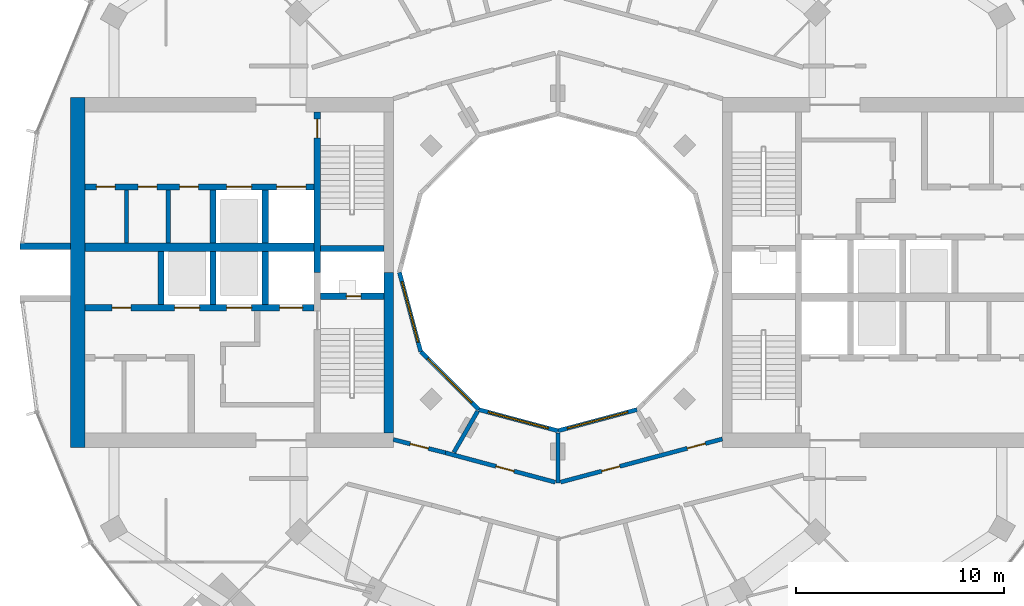
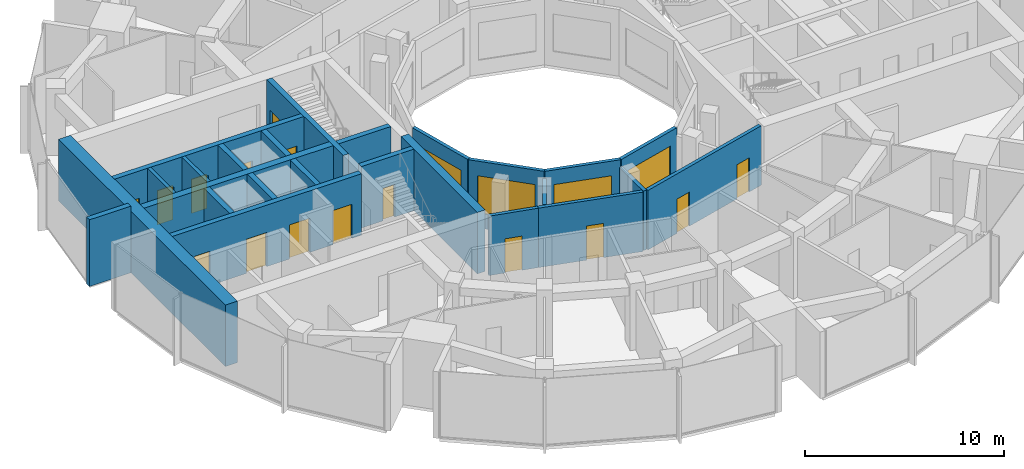
# One storey, part 9 of 15: 25 walls, 15 doors, 4 windows, 19 openings.
"""IFC4 building model written with IfcOpenShell, lengths in metres."""

from ifc_helpers import new_model, si_unit, direction, frame, frame_2d, origin, place, context, subcontext, project, spatial, rectangle, extrude, material, layer, layer_set, type_object, element, fill, save


model = new_model("IFC4")

# Units and contexts
model_context = context("Model", 3, precision=1e-05, world=origin(), true_north=direction((0.0, 1.0)))
body_context = subcontext(model_context, "Body", "Model", "MODEL_VIEW")
ifc_project = project(units=[si_unit("LENGTHUNIT", "METRE"), si_unit("AREAUNIT", "SQUARE_METRE"), si_unit("VOLUMEUNIT", "CUBIC_METRE"), si_unit("PLANEANGLEUNIT", "RADIAN"), si_unit("MASSUNIT", "GRAM", prefix="KILO")], contexts=[model_context])

# Site, building, storey
site_placement = place(None, origin())
site = spatial("IfcSite", under=ifc_project, at=site_placement, CompositionType="ELEMENT")
building_placement = place(site_placement, origin())
building = spatial("IfcBuilding", under=site, at=building_placement, Name="Torre Brocal", CompositionType="ELEMENT")
storey_placement = place(building_placement, frame((0.0, 0.0, 182.300048828125)))
storey = spatial("IfcBuildingStorey", under=building, at=storey_placement, Name="L42", CompositionType="ELEMENT", Elevation=182.300048828125)

# Walls
ifc_material_1 = material(Name="Masonry block", Category="masonry")
ifc_layer_1 = layer(ifc_material_1, 0.199951171875)
ifc_layer_set_1 = layer_set([ifc_layer_1], Name="Masonry block")
wall_type_1 = type_object("IfcWallType", Name="CORE PARTITION 200", PredefinedType="PARTITIONING", material=ifc_layer_set_1)
for number, where, z_axis, x_axis, name in (
    (1, (61.300048828125, 78.949951171875, 0.0), (0.0, 0.0, 1.0), (0.0, -1.0, 0.0), "Wall CP200"),
    (2, (59.300048828125, 78.949951171875, 0.0), (0.0, 0.0, 1.0), (0.0, -1.0, 0.0), "Wall CP200"),
):
    element("IfcWall", number, at=place(storey_placement, frame(where, z_axis=z_axis, x_axis=x_axis)), inside=storey, type_object=wall_type_1, Name=name, PredefinedType="PARTITIONING", context=body_context, shape_type="SweptSolid", body=[
        extrude(rectangle(XDim=2.550048828125, YDim=0.199951171875, at=frame_2d((1.27490234375, 0.0))), origin(), (0.0, 0.0, 1.0), 3.780029296875),
    ])

# Wall, opening, door
ifc_material_2 = material(Name="Concrete C70", Category="concrete")
ifc_layer_2 = layer(ifc_material_2, 0.300048828125)
ifc_layer_set_2 = layer_set([ifc_layer_2], Name="Concrete C70")
wall_type_2 = type_object("IfcWallType", Name="CORE WALL 300 C70", PredefinedType="SHEAR", material=ifc_layer_set_2)
wall_1_placement = place(storey_placement, frame((68.449951171875, 82.699951171875, 0.0), z_axis=(0.0, 0.0, 1.0), x_axis=(0.0, -1.0, 0.0)))
wall_1 = element("IfcWall", 3, at=wall_1_placement, inside=storey, type_object=wall_type_2, Name="Wall CW300-70", PredefinedType="SHEAR", context=body_context, shape_type="SweptSolid", body=[
    extrude(rectangle(XDim=7.699951171875, YDim=0.300048828125, at=frame_2d((3.85009765625, 0.0))), origin(), (0.0, 0.0, 1.0), 3.780029296875),
])
opening_1_placement = place(wall_1_placement, frame((0.35009765625, 0.0, 0.0)))
opening_1 = element("IfcOpeningElement", 4, at=opening_1_placement, cuts=wall_1, Name="Opening W-D03", PredefinedType="OPENING", context=body_context, shape_type="SweptSolid", body=[
    extrude(rectangle(XDim=0.89990234375, YDim=2.10009765625, at=frame_2d((0.449951171875, 1.050048828125))), frame((0.0, 0.159912109375, 0.0), z_axis=(0.0, -1.0, 0.0), x_axis=(1.0, 0.0, 0.0)), (0.0, 0.0, 1.0), 0.320068359375),
])
ifc_material_3 = material(Name="Steel A653", Category="steel")
door_type_1 = type_object("IfcDoorType", Name="STAIR DOOR FD120 900X2100", OperationType="SINGLE_SWING_RIGHT", PredefinedType="DOOR", material=ifc_material_3)
door_1_placement = place(opening_1_placement, origin())
door_1 = element("IfcDoor", 5, at=door_1_placement, inside=storey, type_object=door_type_1, Name="Door W-D03", OperationType="SINGLE_SWING_LEFT", OverallHeight=2.10009765625, OverallWidth=0.89990234375, PredefinedType="DOOR", context=body_context, shape_type="SweptSolid", body=[
    extrude(rectangle(XDim=0.89990234375, YDim=2.10009765625, at=frame_2d((0.449951171875, 1.050048828125))), frame((0.0, 0.02490234375, 0.0), z_axis=(0.0, -1.0, 0.0), x_axis=(1.0, 0.0, 0.0)), (0.0, 0.0, 1.0), 0.050048828125),
])
fill(opening_1, door_1)

wall_2_placement = place(storey_placement, frame((71.64990234375, 73.85009765625, 0.0), z_axis=(0.0, 0.0, 1.0), x_axis=(-1.0, 0.0, 0.0)))
wall_2 = element("IfcWall", 6, at=wall_2_placement, inside=storey, type_object=wall_type_2, Name="Wall CW300-70", PredefinedType="SHEAR", context=body_context, shape_type="SweptSolid", body=[
    extrude(rectangle(XDim=3.0498046875, YDim=0.300048828125, at=frame_2d((1.52490234375, 0.0))), origin(), (0.0, 0.0, 1.0), 3.780029296875),
])
opening_2_placement = place(wall_2_placement, frame((1.10009765625, 0.0, 0.0)))
opening_2 = element("IfcOpeningElement", 7, at=opening_2_placement, cuts=wall_2, Name="Opening W-D01", PredefinedType="OPENING", context=body_context, shape_type="SweptSolid", body=[
    extrude(rectangle(XDim=0.699951171875, YDim=2.0, at=frame_2d((0.35009765625, 1.0))), frame((0.0, 0.159912109375, 0.0), z_axis=(0.0, -1.0, 0.0), x_axis=(1.0, 0.0, 0.0)), (0.0, 0.0, 1.0), 0.320068359375),
])
ifc_material_4 = material(Name="Steel A653", Category="steel")
door_type_2 = type_object("IfcDoorType", Name="RISER DOOR FD120 700X2000", OperationType="SINGLE_SWING_LEFT", PredefinedType="DOOR", material=ifc_material_4)
door_2_placement = place(opening_2_placement, frame((0.699951171875, 0.0, 0.0), z_axis=(0.0, 0.0, 1.0), x_axis=(-1.0, 0.0, 0.0)))
door_2 = element("IfcDoor", 8, at=door_2_placement, inside=storey, type_object=door_type_2, Name="Door W-D01", OperationType="SINGLE_SWING_RIGHT", OverallHeight=2.0, OverallWidth=0.699951171875, PredefinedType="DOOR", context=body_context, shape_type="SweptSolid", body=[
    extrude(rectangle(XDim=0.699951171875, YDim=2.0, at=frame_2d((0.35009765625, 1.0))), frame((0.0, 0.02490234375, 0.0), z_axis=(0.0, -1.0, 0.0), x_axis=(1.0, 0.0, 0.0)), (0.0, 0.0, 1.0), 0.050048828125),
])
fill(opening_2, door_2)

# Wall
wall_3_placement = place(storey_placement, frame((71.64990234375, 76.14990234375, 0.0), z_axis=(0.0, 0.0, 1.0), x_axis=(-1.0, 0.0, 0.0)))
element("IfcWall", 9, at=wall_3_placement, inside=storey, type_object=wall_type_2, Name="Wall CW300-70", PredefinedType="SHEAR", context=body_context, shape_type="SweptSolid", body=[
    extrude(rectangle(XDim=3.0498046875, YDim=0.300048828125, at=frame_2d((1.52490234375, 0.0))), origin(), (0.0, 0.0, 1.0), 3.780029296875),
])

# Wall, openings, doors
wall_4_placement = place(storey_placement, frame((68.300048828125, 73.300048828125, 0.0), z_axis=(0.0, 0.0, 1.0), x_axis=(-1.0, 0.0, 0.0)))
wall_4 = element("IfcWall", 10, at=wall_4_placement, inside=storey, type_object=wall_type_2, Name="Wall CW300-70", PredefinedType="SHEAR", context=body_context, shape_type="SweptSolid", body=[
    extrude(rectangle(XDim=11.0, YDim=0.300048828125, at=frame_2d((5.5, 0.0))), origin(), (0.0, 0.0, 1.0), 3.780029296875),
])
opening_3_placement = place(wall_4_placement, frame((0.550048828125, 0.0, 0.0)))
opening_3 = element("IfcOpeningElement", 11, at=opening_3_placement, cuts=wall_4, Name="Opening LD", PredefinedType="OPENING", context=body_context, shape_type="SweptSolid", body=[
    extrude(rectangle(XDim=1.10009765625, YDim=2.10009765625, at=frame_2d((0.550048828125, 1.050048828125))), frame((0.0, 0.159912109375, 0.0), z_axis=(0.0, -1.0, 0.0), x_axis=(1.0, 0.0, 0.0)), (0.0, 0.0, 1.0), 0.320068359375),
])
opening_4_placement = place(wall_4_placement, frame((3.0, 0.0, 0.0)))
opening_4 = element("IfcOpeningElement", 12, at=opening_4_placement, cuts=wall_4, Name="Opening LD12", PredefinedType="OPENING", context=body_context, shape_type="SweptSolid", body=[
    extrude(rectangle(XDim=1.199951171875, YDim=2.10009765625, at=frame_2d((0.60009765625, 1.050048828125))), frame((0.0, 0.159912109375, 0.0), z_axis=(0.0, -1.0, 0.0), x_axis=(1.0, 0.0, 0.0)), (0.0, 0.0, 1.0), 0.320068359375),
])
opening_5_placement = place(wall_4_placement, frame((5.5, 0.0, 0.0)))
opening_5 = element("IfcOpeningElement", 13, at=opening_5_placement, cuts=wall_4, Name="Opening LD12", PredefinedType="OPENING", context=body_context, shape_type="SweptSolid", body=[
    extrude(rectangle(XDim=1.199951171875, YDim=2.10009765625, at=frame_2d((0.60009765625, 1.050048828125))), frame((0.0, 0.159912109375, 0.0), z_axis=(0.0, -1.0, 0.0), x_axis=(1.0, 0.0, 0.0)), (0.0, 0.0, 1.0), 0.320068359375),
])
opening_6_placement = place(wall_4_placement, frame((8.800048828125, 0.0, 0.0)))
opening_6 = element("IfcOpeningElement", 14, at=opening_6_placement, cuts=wall_4, Name="Opening W-D04", PredefinedType="OPENING", context=body_context, shape_type="SweptSolid", body=[
    extrude(rectangle(XDim=0.89990234375, YDim=2.10009765625, at=frame_2d((0.449951171875, 1.050048828125))), frame((0.0, 0.159912109375, 0.0), z_axis=(0.0, -1.0, 0.0), x_axis=(1.0, 0.0, 0.0)), (0.0, 0.0, 1.0), 0.320068359375),
])
ifc_material_5 = material(Name="Stainless steel AISI 316", Category="steel")
door_type_3 = type_object("IfcDoorType", Name="LIFT LANDING DOOR 1100X2100", OperationType="DOUBLE_DOOR_SLIDING", PredefinedType="DOOR", material=ifc_material_5)
door_3_placement = place(opening_3_placement, origin())
door_3 = element("IfcDoor", 15, at=door_3_placement, inside=storey, type_object=door_type_3, Name="Door LD", OperationType="DOUBLE_DOOR_SLIDING", OverallHeight=2.10009765625, OverallWidth=1.10009765625, PredefinedType="DOOR", context=body_context, shape_type="SweptSolid", body=[
    extrude(rectangle(XDim=1.10009765625, YDim=2.10009765625, at=frame_2d((0.550048828125, 1.050048828125))), frame((0.0, 0.02490234375, 0.0), z_axis=(0.0, -1.0, 0.0), x_axis=(1.0, 0.0, 0.0)), (0.0, 0.0, 1.0), 0.050048828125),
])
fill(opening_3, door_3)
ifc_material_6 = material(Name="Stainless steel AISI 316", Category="steel")
door_type_4 = type_object("IfcDoorType", Name="LIFT LANDING DOOR 1200X2100", OperationType="DOUBLE_DOOR_SLIDING", PredefinedType="DOOR", material=ifc_material_6)
door_4_placement = place(opening_4_placement, origin())
door_4 = element("IfcDoor", 16, at=door_4_placement, inside=storey, type_object=door_type_4, Name="Door LD12", OperationType="DOUBLE_DOOR_SLIDING", OverallHeight=2.10009765625, OverallWidth=1.199951171875, PredefinedType="DOOR", context=body_context, shape_type="SweptSolid", body=[
    extrude(rectangle(XDim=1.199951171875, YDim=2.10009765625, at=frame_2d((0.60009765625, 1.050048828125))), frame((0.0, 0.02490234375, 0.0), z_axis=(0.0, -1.0, 0.0), x_axis=(1.0, 0.0, 0.0)), (0.0, 0.0, 1.0), 0.050048828125),
])
fill(opening_4, door_4)
door_5_placement = place(opening_5_placement, origin())
door_5 = element("IfcDoor", 17, at=door_5_placement, inside=storey, type_object=door_type_4, Name="Door LD12", OperationType="DOUBLE_DOOR_SLIDING", OverallHeight=2.10009765625, OverallWidth=1.199951171875, PredefinedType="DOOR", context=body_context, shape_type="SweptSolid", body=[
    extrude(rectangle(XDim=1.199951171875, YDim=2.10009765625, at=frame_2d((0.60009765625, 1.050048828125))), frame((0.0, 0.02490234375, 0.0), z_axis=(0.0, -1.0, 0.0), x_axis=(1.0, 0.0, 0.0)), (0.0, 0.0, 1.0), 0.050048828125),
])
fill(opening_5, door_5)
ifc_material_7 = material(Name="Steel A653", Category="steel")
door_type_5 = type_object("IfcDoorType", Name="ROOM DOOR FD30S 900X2100", OperationType="SINGLE_SWING_LEFT", PredefinedType="DOOR", material=ifc_material_7)
door_6_placement = place(opening_6_placement, frame((0.89990234375, 0.0, 0.0), z_axis=(0.0, 0.0, 1.0), x_axis=(-1.0, 0.0, 0.0)))
door_6 = element("IfcDoor", 18, at=door_6_placement, inside=storey, type_object=door_type_5, Name="Door W-D04", OperationType="SINGLE_SWING_LEFT", OverallHeight=2.10009765625, OverallWidth=0.89990234375, PredefinedType="DOOR", context=body_context, shape_type="SweptSolid", body=[
    extrude(rectangle(XDim=0.89990234375, YDim=2.10009765625, at=frame_2d((0.449951171875, 1.050048828125))), frame((0.0, 0.02490234375, 0.0), z_axis=(0.0, -1.0, 0.0), x_axis=(1.0, 0.0, 0.0)), (0.0, 0.0, 1.0), 0.050048828125),
])
fill(opening_6, door_6)

wall_5_placement = place(storey_placement, frame((68.300048828125, 79.10009765625, 0.0), z_axis=(0.0, 0.0, 1.0), x_axis=(-1.0, 0.0, 0.0)))
wall_5 = element("IfcWall", 19, at=wall_5_placement, inside=storey, type_object=wall_type_2, Name="Wall CW300-70", PredefinedType="SHEAR", context=body_context, shape_type="SweptSolid", body=[
    extrude(rectangle(XDim=11.0, YDim=0.300048828125, at=frame_2d((5.5, 0.0))), origin(), (0.0, 0.0, 1.0), 3.780029296875),
])
opening_7_placement = place(wall_5_placement, frame((0.39990234375, 0.0, 0.0)))
opening_7 = element("IfcOpeningElement", 20, at=opening_7_placement, cuts=wall_5, Name="Opening LD14", PredefinedType="OPENING", context=body_context, shape_type="SweptSolid", body=[
    extrude(rectangle(XDim=1.39990234375, YDim=2.10009765625, at=frame_2d((0.699951171875, 1.050048828125))), frame((0.0, 0.159912109375, 0.0), z_axis=(0.0, -1.0, 0.0), x_axis=(1.0, 0.0, 0.0)), (0.0, 0.0, 1.0), 0.320068359375),
])
opening_8_placement = place(wall_5_placement, frame((3.0, 0.0, 0.0)))
opening_8 = element("IfcOpeningElement", 21, at=opening_8_placement, cuts=wall_5, Name="Opening LD12", PredefinedType="OPENING", context=body_context, shape_type="SweptSolid", body=[
    extrude(rectangle(XDim=1.199951171875, YDim=2.10009765625, at=frame_2d((0.60009765625, 1.050048828125))), frame((0.0, 0.159912109375, 0.0), z_axis=(0.0, -1.0, 0.0), x_axis=(1.0, 0.0, 0.0)), (0.0, 0.0, 1.0), 0.320068359375),
])
opening_9_placement = place(wall_5_placement, frame((5.550048828125, 0.0, 0.0)))
opening_9 = element("IfcOpeningElement", 22, at=opening_9_placement, cuts=wall_5, Name="Opening W-D05", PredefinedType="OPENING", context=body_context, shape_type="SweptSolid", body=[
    extrude(rectangle(XDim=0.89990234375, YDim=2.10009765625, at=frame_2d((0.449951171875, 1.050048828125))), frame((0.0, 0.159912109375, 0.0), z_axis=(0.0, -1.0, 0.0), x_axis=(1.0, 0.0, 0.0)), (0.0, 0.0, 1.0), 0.320068359375),
])
opening_10_placement = place(wall_5_placement, frame((7.550048828125, 0.0, 0.0)))
opening_10 = element("IfcOpeningElement", 23, at=opening_10_placement, cuts=wall_5, Name="Opening W-D06", PredefinedType="OPENING", context=body_context, shape_type="SweptSolid", body=[
    extrude(rectangle(XDim=0.89990234375, YDim=2.10009765625, at=frame_2d((0.449951171875, 1.050048828125))), frame((0.0, 0.159912109375, 0.0), z_axis=(0.0, -1.0, 0.0), x_axis=(1.0, 0.0, 0.0)), (0.0, 0.0, 1.0), 0.320068359375),
])
opening_11_placement = place(wall_5_placement, frame((9.550048828125, 0.0, 0.0)))
opening_11 = element("IfcOpeningElement", 24, at=opening_11_placement, cuts=wall_5, Name="Opening W-D07", PredefinedType="OPENING", context=body_context, shape_type="SweptSolid", body=[
    extrude(rectangle(XDim=0.89990234375, YDim=2.10009765625, at=frame_2d((0.449951171875, 1.050048828125))), frame((0.0, 0.159912109375, 0.0), z_axis=(0.0, -1.0, 0.0), x_axis=(1.0, 0.0, 0.0)), (0.0, 0.0, 1.0), 0.320068359375),
])
door_7_placement = place(opening_8_placement, origin())
door_7 = element("IfcDoor", 25, at=door_7_placement, inside=storey, type_object=door_type_4, Name="Door LD12", OperationType="DOUBLE_DOOR_SLIDING", OverallHeight=2.10009765625, OverallWidth=1.199951171875, PredefinedType="DOOR", context=body_context, shape_type="SweptSolid", body=[
    extrude(rectangle(XDim=1.199951171875, YDim=2.10009765625, at=frame_2d((0.60009765625, 1.050048828125))), frame((0.0, 0.02490234375, 0.0), z_axis=(0.0, -1.0, 0.0), x_axis=(1.0, 0.0, 0.0)), (0.0, 0.0, 1.0), 0.050048828125),
])
fill(opening_8, door_7)
ifc_material_8 = material(Name="Stainless steel AISI 316", Category="steel")
door_type_6 = type_object("IfcDoorType", Name="LIFT LANDING DOOR 1400X2100", OperationType="DOUBLE_DOOR_SLIDING", PredefinedType="DOOR", material=ifc_material_8)
door_8_placement = place(opening_7_placement, origin())
door_8 = element("IfcDoor", 26, at=door_8_placement, inside=storey, type_object=door_type_6, Name="Door LD14", OperationType="DOUBLE_DOOR_SLIDING", OverallHeight=2.10009765625, OverallWidth=1.39990234375, PredefinedType="DOOR", context=body_context, shape_type="SweptSolid", body=[
    extrude(rectangle(XDim=1.39990234375, YDim=2.10009765625, at=frame_2d((0.699951171875, 1.050048828125))), frame((0.0, 0.02490234375, 0.0), z_axis=(0.0, -1.0, 0.0), x_axis=(1.0, 0.0, 0.0)), (0.0, 0.0, 1.0), 0.050048828125),
])
fill(opening_7, door_8)
door_9_placement = place(opening_9_placement, origin())
door_9 = element("IfcDoor", 27, at=door_9_placement, inside=storey, type_object=door_type_5, Name="Door W-D05", OperationType="SINGLE_SWING_RIGHT", OverallHeight=2.10009765625, OverallWidth=0.89990234375, PredefinedType="DOOR", context=body_context, shape_type="SweptSolid", body=[
    extrude(rectangle(XDim=0.89990234375, YDim=2.10009765625, at=frame_2d((0.449951171875, 1.050048828125))), frame((0.0, 0.02490234375, 0.0), z_axis=(0.0, -1.0, 0.0), x_axis=(1.0, 0.0, 0.0)), (0.0, 0.0, 1.0), 0.050048828125),
])
fill(opening_9, door_9)
door_10_placement = place(opening_10_placement, origin())
door_10 = element("IfcDoor", 28, at=door_10_placement, inside=storey, type_object=door_type_5, Name="Door W-D06", OperationType="SINGLE_SWING_LEFT", OverallHeight=2.10009765625, OverallWidth=0.89990234375, PredefinedType="DOOR", context=body_context, shape_type="SweptSolid", body=[
    extrude(rectangle(XDim=0.89990234375, YDim=2.10009765625, at=frame_2d((0.449951171875, 1.050048828125))), frame((0.0, 0.02490234375, 0.0), z_axis=(0.0, -1.0, 0.0), x_axis=(1.0, 0.0, 0.0)), (0.0, 0.0, 1.0), 0.050048828125),
])
fill(opening_10, door_10)
door_11_placement = place(opening_11_placement, origin())
door_11 = element("IfcDoor", 29, at=door_11_placement, inside=storey, type_object=door_type_5, Name="Door W-D07", OperationType="SINGLE_SWING_LEFT", OverallHeight=2.10009765625, OverallWidth=0.89990234375, PredefinedType="DOOR", context=body_context, shape_type="SweptSolid", body=[
    extrude(rectangle(XDim=0.89990234375, YDim=2.10009765625, at=frame_2d((0.449951171875, 1.050048828125))), frame((0.0, 0.02490234375, 0.0), z_axis=(0.0, -1.0, 0.0), x_axis=(1.0, 0.0, 0.0)), (0.0, 0.0, 1.0), 0.050048828125),
])
fill(opening_11, door_11)

# Walls
for number, where, z_axis, x_axis, name in (
    (30, (65.949951171875, 76.0, 0.0), (0.0, 0.0, 1.0), (0.0, -1.0, 0.0), "Wall CW300-70"),
    (31, (63.449951171875, 76.0, 0.0), (0.0, 0.0, 1.0), (0.0, -1.0, 0.0), "Wall CW300-70"),
    (32, (60.949951171875, 76.0, 0.0), (0.0, 0.0, 1.0), (0.0, -1.0, 0.0), "Wall CW300-70"),
    (33, (65.949951171875, 78.949951171875, 0.0), (0.0, 0.0, 1.0), (0.0, -1.0, 0.0), "Wall CW300-70"),
    (34, (63.449951171875, 78.949951171875, 0.0), (0.0, 0.0, 1.0), (0.0, -1.0, 0.0), "Wall CW300-70"),
):
    element("IfcWall", number, at=place(storey_placement, frame(where, z_axis=z_axis, x_axis=x_axis)), inside=storey, type_object=wall_type_2, Name=name, PredefinedType="SHEAR", context=body_context, shape_type="SweptSolid", body=[
        extrude(rectangle(XDim=2.550048828125, YDim=0.300048828125, at=frame_2d((1.27490234375, 0.0))), origin(), (0.0, 0.0, 1.0), 3.780029296875),
    ])
ifc_material_9 = material(Name="Concrete C70", Category="concrete")
ifc_layer_3 = layer(ifc_material_9, 0.39990234375)
ifc_layer_set_3 = layer_set([ifc_layer_3], Name="Concrete C70")
wall_type_3 = type_object("IfcWallType", Name="CORE WALL 400 C70", PredefinedType="SHEAR", material=ifc_layer_set_3)
wall_6_placement = place(storey_placement, frame((68.300048828125, 76.199951171875, 0.0), z_axis=(0.0, 0.0, 1.0), x_axis=(-1.0, 0.0, 0.0)))
element("IfcWall", 35, at=wall_6_placement, inside=storey, type_object=wall_type_3, Name="Wall CW400-70", PredefinedType="SHEAR", context=body_context, shape_type="SweptSolid", body=[
    extrude(rectangle(XDim=11.0, YDim=0.39990234375, at=frame_2d((5.5, 0.0))), origin(), (0.0, 0.0, 1.0), 3.780029296875),
])
ifc_material_10 = material(Name="Concrete C70", Category="concrete")
ifc_layer_4 = layer(ifc_material_10, 0.449951171875)
ifc_layer_set_4 = layer_set([ifc_layer_4], Name="Concrete C70")
wall_type_4 = type_object("IfcWallType", Name="CORE WALL 450 C70", PredefinedType="SHEAR", material=ifc_layer_set_4)
wall_7_placement = place(storey_placement, frame((71.875, 75.0, 0.0), z_axis=(0.0, 0.0, 1.0), x_axis=(0.0, -1.0, 0.0)))
element("IfcWall", 36, at=wall_7_placement, inside=storey, type_object=wall_type_4, Name="Wall CW450-70", PredefinedType="SHEAR", context=body_context, shape_type="SweptSolid", body=[
    extrude(rectangle(XDim=7.699951171875, YDim=0.449951171875, at=frame_2d((3.85009765625, 0.0))), origin(), (0.0, 0.0, 1.0), 3.780029296875),
])
ifc_material_11 = material(Name="Concrete C70", Category="concrete")
ifc_layer_5 = layer(ifc_material_11, 0.699951171875)
ifc_layer_set_5 = layer_set([ifc_layer_5], Name="Concrete C70")
wall_type_5 = type_object("IfcWallType", Name="CORE WALL 700 C70", PredefinedType="SHEAR", material=ifc_layer_set_5)
wall_8_placement = place(storey_placement, frame((56.949951171875, 83.39990234375, 0.0), z_axis=(0.0, 0.0, 1.0), x_axis=(0.0, -1.0, 0.0)))
element("IfcWall", 37, at=wall_8_placement, inside=storey, type_object=wall_type_5, Name="Wall CW700-70", PredefinedType="SHEAR", context=body_context, shape_type="SweptSolid", body=[
    extrude(rectangle(XDim=16.7998046875, YDim=0.699951171875, at=frame_2d((8.39990234375, 0.0))), origin(), (0.0, 0.0, 1.0), 3.780029296875),
])
ifc_material_12 = material(Name="Concrete C70", Category="concrete")
ifc_layer_6 = layer(ifc_material_12, 0.300048828125)
ifc_layer_set_6 = layer_set([ifc_layer_6], Name="Concrete C70")
wall_type_6 = type_object("IfcWallType", Name="NOTCH RETURN WALL 300 C70", PredefinedType="NOTDEFINED", material=ifc_layer_set_6)
wall_9_placement = place(storey_placement, frame((56.60009765625, 76.25, 0.0), z_axis=(0.0, 0.0, 1.0), x_axis=(-1.0, 0.0, 0.0)))
element("IfcWall", 38, at=wall_9_placement, inside=storey, type_object=wall_type_6, Name="NOTCH RETURN WALL", PredefinedType="NOTDEFINED", context=body_context, shape_type="SweptSolid", body=[
    extrude(rectangle(XDim=2.415771484375, YDim=0.300048828125, at=frame_2d((1.2080078125, 0.0))), origin(), (0.0, 0.0, 1.0), 4.099853515625),
])

# Wall, opening, door
ifc_material_13 = material(Name="Gypsum board", Category="Gypsum")
ifc_layer_7 = layer(ifc_material_13, 0.199951171875)
ifc_layer_set_7 = layer_set([ifc_layer_7], Name="Gypsum board")
wall_type_7 = type_object("IfcWallType", Name="PARTITION 200 EI60", PredefinedType="PARTITIONING", material=ifc_layer_set_7)
wall_10_placement = place(storey_placement, frame((72.10009765625, 66.97509765625, 0.0), z_axis=(0.0, 0.0, 1.0), x_axis=(0.969471314457, -0.245204752086, 0.0)))
wall_10 = element("IfcWall", 39, at=wall_10_placement, inside=storey, type_object=wall_type_7, Name="CORRIDOR WALL", PredefinedType="PARTITIONING", context=body_context, shape_type="SweptSolid", body=[
    extrude(rectangle(XDim=2.581787109375, YDim=0.199951171875, at=frame_2d((1.291015625, 0.0))), origin(), (0.0, 0.0, 1.0), 3.64990234375),
])
opening_12_placement = place(wall_10_placement, frame((0.8408203125, 0.0, 0.0)))
opening_12 = element("IfcOpeningElement", 40, at=opening_12_placement, cuts=wall_10, Name="Opening R03-D41", PredefinedType="OPENING", context=body_context, shape_type="SweptSolid", body=[
    extrude(rectangle(XDim=0.89990234375, YDim=2.10009765625, at=frame_2d((0.449951171875, 1.050048828125))), frame((0.0, 0.10986328125, 0.0), z_axis=(0.0, -1.0, 0.0), x_axis=(1.0, 0.0, 0.0)), (0.0, 0.0, 1.0), 0.219970703125),
])
ifc_material_14 = material(Name="Timber", Category="wood")
door_type_7 = type_object("IfcDoorType", Name="ROOM DOOR 900X2100", OperationType="SINGLE_SWING_LEFT", PredefinedType="DOOR", material=ifc_material_14)
door_12_placement = place(opening_12_placement, origin())
door_12 = element("IfcDoor", 41, at=door_12_placement, inside=storey, type_object=door_type_7, Name="R03-D41", OperationType="SINGLE_SWING_LEFT", OverallHeight=2.10009765625, OverallWidth=0.89990234375, PredefinedType="DOOR", context=body_context, shape_type="SweptSolid", body=[
    extrude(rectangle(XDim=0.89990234375, YDim=2.10009765625, at=frame_2d((0.449951171875, 1.050048828125))), frame((0.0, 0.02490234375, 0.0), z_axis=(0.0, -1.0, 0.0), x_axis=(1.0, 0.0, 0.0)), (0.0, 0.0, 1.0), 0.050048828125),
])
fill(opening_12, door_12)

wall_11_placement = place(storey_placement, frame((74.60302734375, 66.342041015625, 0.0), z_axis=(0.0, 0.0, 1.0), x_axis=(0.965920893652, -0.258837453254, 0.0)))
wall_11 = element("IfcWall", 42, at=wall_11_placement, inside=storey, type_object=wall_type_7, Name="CORRIDOR WALL", PredefinedType="PARTITIONING", context=body_context, shape_type="SweptSolid", body=[
    extrude(rectangle(XDim=5.45751953125, YDim=0.199951171875, at=frame_2d((2.728759765625, 0.0))), origin(), (0.0, 0.0, 1.0), 3.64990234375),
])
opening_13_placement = place(wall_11_placement, frame((2.512451171875, 0.0, 0.0)))
opening_13 = element("IfcOpeningElement", 43, at=opening_13_placement, cuts=wall_11, Name="Opening R03-D40", PredefinedType="OPENING", context=body_context, shape_type="SweptSolid", body=[
    extrude(rectangle(XDim=0.89990234375, YDim=2.10009765625, at=frame_2d((0.449951171875, 1.050048828125))), frame((0.0, 0.10986328125, 0.0), z_axis=(0.0, -1.0, 0.0), x_axis=(1.0, 0.0, 0.0)), (0.0, 0.0, 1.0), 0.219970703125),
])
door_13_placement = place(opening_13_placement, origin())
door_13 = element("IfcDoor", 44, at=door_13_placement, inside=storey, type_object=door_type_7, Name="R03-D40", OperationType="SINGLE_SWING_LEFT", OverallHeight=2.10009765625, OverallWidth=0.89990234375, PredefinedType="DOOR", context=body_context, shape_type="SweptSolid", body=[
    extrude(rectangle(XDim=0.89990234375, YDim=2.10009765625, at=frame_2d((0.449951171875, 1.050048828125))), frame((0.0, 0.02490234375, 0.0), z_axis=(0.0, -1.0, 0.0), x_axis=(1.0, 0.0, 0.0)), (0.0, 0.0, 1.0), 0.050048828125),
])
fill(opening_13, door_13)

# Wall
wall_12_placement = place(storey_placement, frame((75.010498046875, 66.364013671875, 0.0), z_axis=(0.0, 0.0, 1.0), x_axis=(0.500097042406, 0.865969369075, 0.0)))
element("IfcWall", 45, at=wall_12_placement, inside=storey, type_object=wall_type_7, Name="SERVICE ROOM WALL", PredefinedType="PARTITIONING", context=body_context, shape_type="SweptSolid", body=[
    extrude(rectangle(XDim=2.275390625, YDim=0.199951171875, at=frame_2d((1.1376953125, 0.0))), origin(), (0.0, 0.0, 1.0), 3.64990234375),
])

# Wall, openings, doors
wall_13_placement = place(storey_placement, frame((80.125, 64.931640625, 0.0), z_axis=(0.0, 0.0, 1.0), x_axis=(0.966236955806, 0.257655089674, 0.0)))
wall_13 = element("IfcWall", 46, at=wall_13_placement, inside=storey, type_object=wall_type_7, Name="CORRIDOR WALL", PredefinedType="PARTITIONING", context=body_context, shape_type="SweptSolid", body=[
    extrude(rectangle(XDim=8.0390625, YDim=0.199951171875, at=frame_2d((4.01953125, 0.0))), origin(), (0.0, 0.0, 1.0), 3.64990234375),
])
opening_14_placement = place(wall_13_placement, frame((6.298095703125, 0.0, 0.0)))
opening_14 = element("IfcOpeningElement", 47, at=opening_14_placement, cuts=wall_13, Name="Opening R03-D38", PredefinedType="OPENING", context=body_context, shape_type="SweptSolid", body=[
    extrude(rectangle(XDim=0.89990234375, YDim=2.10009765625, at=frame_2d((0.449951171875, 1.050048828125))), frame((0.0, 0.10986328125, 0.0), z_axis=(0.0, -1.0, 0.0), x_axis=(1.0, 0.0, 0.0)), (0.0, 0.0, 1.0), 0.219970703125),
])
opening_15_placement = place(wall_13_placement, frame((2.044921875, 0.0, 0.0)))
opening_15 = element("IfcOpeningElement", 48, at=opening_15_placement, cuts=wall_13, Name="Opening R03-D39", PredefinedType="OPENING", context=body_context, shape_type="SweptSolid", body=[
    extrude(rectangle(XDim=0.89990234375, YDim=2.10009765625, at=frame_2d((0.449951171875, 1.050048828125))), frame((0.0, 0.10986328125, 0.0), z_axis=(0.0, -1.0, 0.0), x_axis=(1.0, 0.0, 0.0)), (0.0, 0.0, 1.0), 0.219970703125),
])
door_14_placement = place(opening_14_placement, origin())
door_14 = element("IfcDoor", 49, at=door_14_placement, inside=storey, type_object=door_type_7, Name="R03-D38", OperationType="SINGLE_SWING_RIGHT", OverallHeight=2.10009765625, OverallWidth=0.89990234375, PredefinedType="DOOR", context=body_context, shape_type="SweptSolid", body=[
    extrude(rectangle(XDim=0.89990234375, YDim=2.10009765625, at=frame_2d((0.449951171875, 1.050048828125))), frame((0.0, 0.02490234375, 0.0), z_axis=(0.0, -1.0, 0.0), x_axis=(1.0, 0.0, 0.0)), (0.0, 0.0, 1.0), 0.050048828125),
])
fill(opening_14, door_14)
door_15_placement = place(opening_15_placement, origin())
door_15 = element("IfcDoor", 50, at=door_15_placement, inside=storey, type_object=door_type_7, Name="R03-D39", OperationType="SINGLE_SWING_RIGHT", OverallHeight=2.10009765625, OverallWidth=0.89990234375, PredefinedType="DOOR", context=body_context, shape_type="SweptSolid", body=[
    extrude(rectangle(XDim=0.89990234375, YDim=2.10009765625, at=frame_2d((0.449951171875, 1.050048828125))), frame((0.0, 0.02490234375, 0.0), z_axis=(0.0, -1.0, 0.0), x_axis=(1.0, 0.0, 0.0)), (0.0, 0.0, 1.0), 0.050048828125),
])
fill(opening_15, door_15)

# Wall
wall_14_placement = place(storey_placement, frame((80.0, 64.89599609375, 0.0), z_axis=(0.0, 0.0, 1.0), x_axis=(0.0, 1.0, 0.0)))
element("IfcWall", 51, at=wall_14_placement, inside=storey, type_object=wall_type_7, Name="SERVICE ROOM WALL", PredefinedType="PARTITIONING", context=body_context, shape_type="SweptSolid", body=[
    extrude(rectangle(XDim=2.405029296875, YDim=0.199951171875, at=frame_2d((1.20263671875, 0.0))), origin(), (0.0, 0.0, 1.0), 3.64990234375),
])

# Wall, opening, window
ifc_material_15 = material(Name="Concrete C40", Category="concrete")
ifc_layer_8 = layer(ifc_material_15, 0.199951171875)
ifc_layer_set_8 = layer_set([ifc_layer_8], Name="Concrete C40")
wall_type_8 = type_object("IfcWallType", Name="WELL FACADE WALL 200", PredefinedType="NOTDEFINED", material=ifc_layer_set_8)
wall_15_placement = place(storey_placement, frame((72.396484375, 75.0, 0.0), z_axis=(0.0, 0.0, 1.0), x_axis=(0.258789828301, -0.965933654434, 0.0)))
wall_15 = element("IfcWall", 52, at=wall_15_placement, inside=storey, type_object=wall_type_8, Name="WELL FACADE WALL", PredefinedType="NOTDEFINED", context=body_context, shape_type="SweptSolid", body=[
    extrude(rectangle(XDim=3.935791015625, YDim=0.199951171875, at=frame_2d((1.9677734375, 0.0))), origin(), (0.0, 0.0, 1.0), 4.099853515625),
])
opening_16_placement = place(wall_15_placement, frame((0.468017578125, 0.0, 0.89990234375)))
opening_16 = element("IfcOpeningElement", 53, at=opening_16_placement, cuts=wall_15, Name="Opening W1", PredefinedType="OPENING", context=body_context, shape_type="SweptSolid", body=[
    extrude(rectangle(XDim=3.0, YDim=2.300048828125, at=frame_2d((1.5, 1.14990234375))), frame((0.0, 0.10986328125, 0.0), z_axis=(0.0, -1.0, 0.0), x_axis=(1.0, 0.0, 0.0)), (0.0, 0.0, 1.0), 0.219970703125),
])
ifc_material_16 = material(Name="Aluminium and glass", Category="aluminium")
window_type = type_object("IfcWindowType", Name="WELL WINDOW 3000X2300", PartitioningType="SINGLE_PANEL", PredefinedType="WINDOW", material=ifc_material_16)
window_1_placement = place(opening_16_placement, origin())
window_1 = element("IfcWindow", 54, at=window_1_placement, inside=storey, type_object=window_type, Name="WELL WINDOW 3000X2300", OverallHeight=2.300048828125, OverallWidth=3.0, PartitioningType="SINGLE_PANEL", PredefinedType="WINDOW", context=body_context, shape_type="SweptSolid", body=[
    extrude(rectangle(XDim=3.0, YDim=2.300048828125, at=frame_2d((1.5, 1.14990234375))), frame((0.0, 0.030029296875, 0.0), z_axis=(0.0, -1.0, 0.0), x_axis=(1.0, 0.0, 0.0)), (0.0, 0.0, 1.0), 0.06005859375),
])
fill(opening_16, window_1)

wall_16_placement = place(storey_placement, frame((73.4150390625, 71.1982421875, 0.0), z_axis=(0.0, 0.0, 1.0), x_axis=(0.707106781187, -0.707106781187, 0.0)))
wall_16 = element("IfcWall", 55, at=wall_16_placement, inside=storey, type_object=wall_type_8, Name="WELL FACADE WALL", PredefinedType="NOTDEFINED", context=body_context, shape_type="SweptSolid", body=[
    extrude(rectangle(XDim=3.93603515625, YDim=0.199951171875, at=frame_2d((1.968017578125, 0.0))), origin(), (0.0, 0.0, 1.0), 4.099853515625),
])
opening_17_placement = place(wall_16_placement, frame((0.468017578125, 0.0, 0.89990234375)))
opening_17 = element("IfcOpeningElement", 56, at=opening_17_placement, cuts=wall_16, Name="Opening W1", PredefinedType="OPENING", context=body_context, shape_type="SweptSolid", body=[
    extrude(rectangle(XDim=3.0, YDim=2.300048828125, at=frame_2d((1.5, 1.14990234375))), frame((0.0, 0.10986328125, 0.0), z_axis=(0.0, -1.0, 0.0), x_axis=(1.0, 0.0, 0.0)), (0.0, 0.0, 1.0), 0.219970703125),
])
window_2_placement = place(opening_17_placement, origin())
window_2 = element("IfcWindow", 57, at=window_2_placement, inside=storey, type_object=window_type, Name="WELL WINDOW 3000X2300", OverallHeight=2.300048828125, OverallWidth=3.0, PartitioningType="SINGLE_PANEL", PredefinedType="WINDOW", context=body_context, shape_type="SweptSolid", body=[
    extrude(rectangle(XDim=3.0, YDim=2.300048828125, at=frame_2d((1.5, 1.14990234375))), frame((0.0, 0.030029296875, 0.0), z_axis=(0.0, -1.0, 0.0), x_axis=(1.0, 0.0, 0.0)), (0.0, 0.0, 1.0), 0.06005859375),
])
fill(opening_17, window_2)

wall_17_placement = place(storey_placement, frame((76.1982421875, 68.4150390625, 0.0), z_axis=(0.0, 0.0, 1.0), x_axis=(0.965933654434, -0.258789828301, 0.0)))
wall_17 = element("IfcWall", 58, at=wall_17_placement, inside=storey, type_object=wall_type_8, Name="WELL FACADE WALL", PredefinedType="NOTDEFINED", context=body_context, shape_type="SweptSolid", body=[
    extrude(rectangle(XDim=3.935791015625, YDim=0.199951171875, at=frame_2d((1.9677734375, 0.0))), origin(), (0.0, 0.0, 1.0), 4.099853515625),
])
opening_18_placement = place(wall_17_placement, frame((0.468017578125, 0.0, 0.89990234375)))
opening_18 = element("IfcOpeningElement", 59, at=opening_18_placement, cuts=wall_17, Name="Opening W1", PredefinedType="OPENING", context=body_context, shape_type="SweptSolid", body=[
    extrude(rectangle(XDim=3.0, YDim=2.300048828125, at=frame_2d((1.5, 1.14990234375))), frame((0.0, 0.10986328125, 0.0), z_axis=(0.0, -1.0, 0.0), x_axis=(1.0, 0.0, 0.0)), (0.0, 0.0, 1.0), 0.219970703125),
])
window_3_placement = place(opening_18_placement, origin())
window_3 = element("IfcWindow", 60, at=window_3_placement, inside=storey, type_object=window_type, Name="WELL WINDOW 3000X2300", OverallHeight=2.300048828125, OverallWidth=3.0, PartitioningType="SINGLE_PANEL", PredefinedType="WINDOW", context=body_context, shape_type="SweptSolid", body=[
    extrude(rectangle(XDim=3.0, YDim=2.300048828125, at=frame_2d((1.5, 1.14990234375))), frame((0.0, 0.030029296875, 0.0), z_axis=(0.0, -1.0, 0.0), x_axis=(1.0, 0.0, 0.0)), (0.0, 0.0, 1.0), 0.06005859375),
])
fill(opening_18, window_3)

wall_18_placement = place(storey_placement, frame((80.0, 67.396484375, 0.0), z_axis=(0.0, 0.0, 1.0), x_axis=(0.965933654434, 0.258789828301, 0.0)))
wall_18 = element("IfcWall", 61, at=wall_18_placement, inside=storey, type_object=wall_type_8, Name="WELL FACADE WALL", PredefinedType="NOTDEFINED", context=body_context, shape_type="SweptSolid", body=[
    extrude(rectangle(XDim=3.935791015625, YDim=0.199951171875, at=frame_2d((1.9677734375, 0.0))), origin(), (0.0, 0.0, 1.0), 4.099853515625),
])
opening_19_placement = place(wall_18_placement, frame((0.468017578125, 0.0, 0.89990234375)))
opening_19 = element("IfcOpeningElement", 62, at=opening_19_placement, cuts=wall_18, Name="Opening W1", PredefinedType="OPENING", context=body_context, shape_type="SweptSolid", body=[
    extrude(rectangle(XDim=3.0, YDim=2.300048828125, at=frame_2d((1.5, 1.14990234375))), frame((0.0, 0.10986328125, 0.0), z_axis=(0.0, -1.0, 0.0), x_axis=(1.0, 0.0, 0.0)), (0.0, 0.0, 1.0), 0.219970703125),
])
window_4_placement = place(opening_19_placement, origin())
window_4 = element("IfcWindow", 63, at=window_4_placement, inside=storey, type_object=window_type, Name="WELL WINDOW 3000X2300", OverallHeight=2.300048828125, OverallWidth=3.0, PartitioningType="SINGLE_PANEL", PredefinedType="WINDOW", context=body_context, shape_type="SweptSolid", body=[
    extrude(rectangle(XDim=3.0, YDim=2.300048828125, at=frame_2d((1.5, 1.14990234375))), frame((0.0, 0.030029296875, 0.0), z_axis=(0.0, -1.0, 0.0), x_axis=(1.0, 0.0, 0.0)), (0.0, 0.0, 1.0), 0.06005859375),
])
fill(opening_19, window_4)

save(model, "model.ifc")
